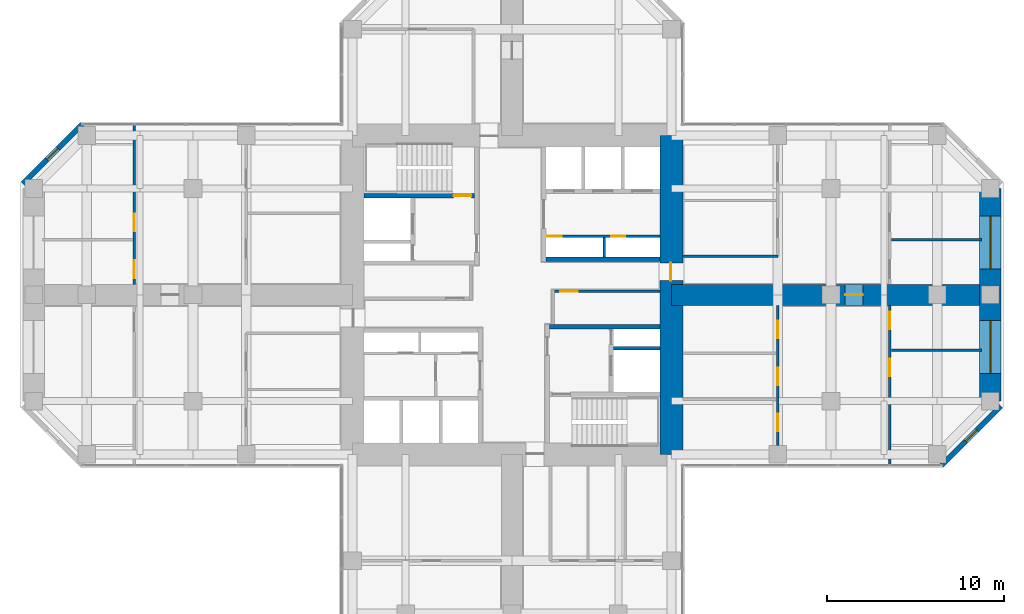
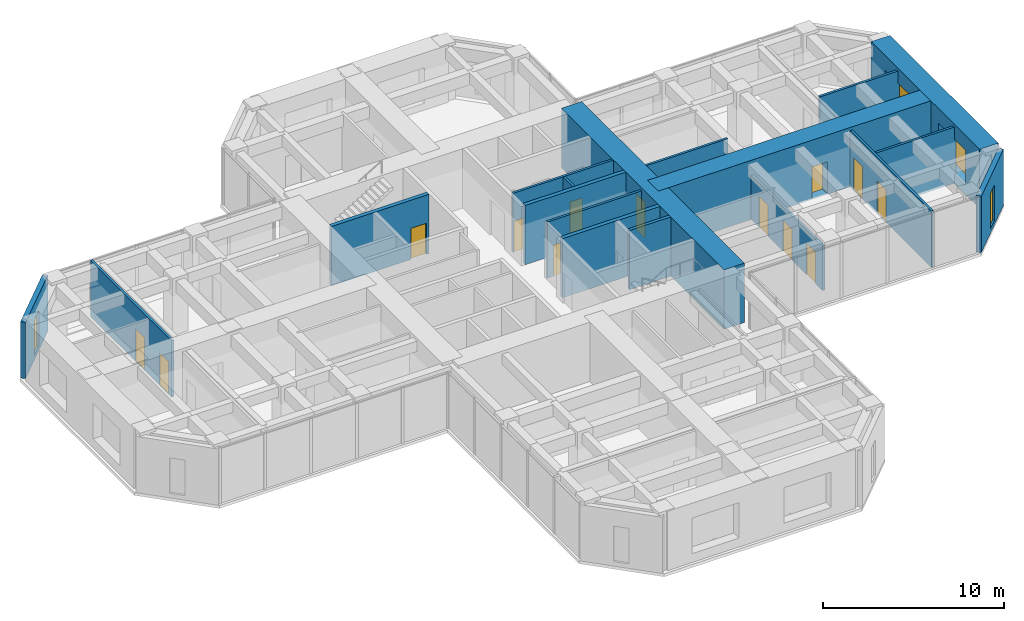
# One storey, part 10 of 13: 18 walls, 13 doors, 4 windows, 17 openings.
"""IFC4 building model written with IfcOpenShell, lengths in metres."""

from ifc_helpers import new_model, si_unit, direction, frame, frame_2d, origin, place, context, subcontext, project, spatial, rectangle, hollow_rectangle, extrude, material, layer, layer_set, constituent, constituent_set, type_object, element, fill, save


model = new_model("IFC4")

# Units and contexts
model_context = context("Model", 3, precision=1e-05, world=origin(), true_north=direction((0.0, 1.0)))
body_context = subcontext(model_context, "Body", "Model", "MODEL_VIEW")
ifc_project = project(units=[si_unit("LENGTHUNIT", "METRE"), si_unit("AREAUNIT", "SQUARE_METRE"), si_unit("VOLUMEUNIT", "CUBIC_METRE"), si_unit("PLANEANGLEUNIT", "RADIAN"), si_unit("MASSUNIT", "GRAM", prefix="KILO")], contexts=[model_context])

# Site, building, storey
site_placement = place(None, origin())
site = spatial("IfcSite", under=ifc_project, at=site_placement, CompositionType="ELEMENT")
building_placement = place(site_placement, origin())
building = spatial("IfcBuilding", under=site, at=building_placement, Name="Torre Cruceta", CompositionType="ELEMENT")
storey_placement = place(building_placement, frame((0.0, 0.0, 132.5)))
storey = spatial("IfcBuildingStorey", under=building, at=storey_placement, Name="L32", CompositionType="ELEMENT", Elevation=132.5)

# Wall
ifc_material_1 = material(Name="Concrete G60 (fck 60 MPa)", Category="concrete")
ifc_layer_1 = layer(ifc_material_1, 0.25)
ifc_layer_set_1 = layer_set([ifc_layer_1], Name="Concrete G60 (fck 60 MPa)")
wall_type_1 = type_object("IfcWallType", Name="CORE INNER WALL 250 G60", PredefinedType="SHEAR", material=ifc_layer_set_1)
wall_1_placement = place(storey_placement, frame((1.925048828125, 2.0, 0.0), z_axis=(0.0, 0.0, 1.0), x_axis=(1.0, 0.0, 0.0)))
element("IfcWall", 1, at=wall_1_placement, inside=storey, type_object=wall_type_1, Name="CW4 L32 NE-CV", PredefinedType="SHEAR", context=body_context, shape_type="SweptSolid", body=[
    extrude(rectangle(XDim=6.425048828125, YDim=0.25, at=frame_2d((3.21240234375, 0.0))), origin(), (0.0, 0.0, 1.0), 4.0),
])

# Wall, opening, door
wall_2_placement = place(storey_placement, frame((-2.125, 5.60009765625, 0.0), z_axis=(0.0, 0.0, 1.0), x_axis=(-1.0, 0.0, 0.0)))
wall_2 = element("IfcWall", 2, at=wall_2_placement, inside=storey, type_object=wall_type_1, Name="CW4 L32 NW-SV", PredefinedType="SHEAR", context=body_context, shape_type="SweptSolid", body=[
    extrude(rectangle(XDim=6.22509765625, YDim=0.25, at=frame_2d((3.112548828125, 0.0))), origin(), (0.0, 0.0, 1.0), 4.0),
])
opening_1_placement = place(wall_2_placement, frame((0.175048828125, 0.0, 0.0)))
opening_1 = element("IfcOpeningElement", 3, at=opening_1_placement, cuts=wall_2, Name="Opening D3", PredefinedType="OPENING", context=body_context, shape_type="SweptSolid", body=[
    extrude(rectangle(XDim=1.0, YDim=2.10009765625, at=frame_2d((0.5, 1.050048828125))), frame((0.0, 0.135009765625, 0.0), z_axis=(0.0, -1.0, 0.0), x_axis=(1.0, 0.0, 0.0)), (0.0, 0.0, 1.0), 0.27001953125),
])
ifc_material_2 = material(Name="Steel DX51D", Category="steel")
ifc_constituent_1 = constituent(ifc_material_2, Name="Leaf and frame")
ifc_material_3 = material(Name="Polyester powder coating", Category="paint")
ifc_constituent_2 = constituent(ifc_material_3, Name="Finish")
ifc_constituent_set_1 = constituent_set(constituents=[ifc_constituent_1, ifc_constituent_2], Name="Steel fire door")
door_type_1 = type_object("IfcDoorType", Name="FIRE DOOR 1000X2100", OperationType="SINGLE_SWING_LEFT", PredefinedType="DOOR", material=ifc_constituent_set_1)
door_1_placement = place(opening_1_placement, frame((1.0, 0.0, 0.0), z_axis=(0.0, 0.0, 1.0), x_axis=(-1.0, 0.0, 0.0)))
door_1 = element("IfcDoor", 4, at=door_1_placement, inside=storey, type_object=door_type_1, Name="D3 L32 NW-STAIR", OperationType="SINGLE_SWING_RIGHT", OverallHeight=2.10009765625, OverallWidth=1.0, PredefinedType="DOOR", context=body_context, shape_type="SweptSolid", body=[
    extrude(rectangle(XDim=1.0, YDim=2.10009765625, at=frame_2d((0.5, 1.050048828125))), frame((0.0, 0.025146484375, 0.0), z_axis=(0.0, -1.0, 0.0), x_axis=(1.0, 0.0, 0.0)), (0.0, 0.0, 1.0), 0.050048828125),
])
fill(opening_1, door_1)

# Wall
wall_3_placement = place(storey_placement, frame((2.125, -1.800048828125, 0.0), z_axis=(0.0, 0.0, 1.0), x_axis=(1.0, 0.0, 0.0)))
element("IfcWall", 5, at=wall_3_placement, inside=storey, type_object=wall_type_1, Name="CW4 L32 SE-CV", PredefinedType="SHEAR", context=body_context, shape_type="SweptSolid", body=[
    extrude(rectangle(XDim=6.22509765625, YDim=0.25, at=frame_2d((3.112548828125, 0.0))), origin(), (0.0, 0.0, 1.0), 4.0),
])

# Wall, opening, door
ifc_material_4 = material(Name="Concrete G60 (fck 60 MPa)", Category="concrete")
ifc_layer_2 = layer(ifc_material_4, 1.300048828125)
ifc_layer_set_2 = layer_set([ifc_layer_2], Name="Concrete G60 (fck 60 MPa)")
wall_type_2 = type_object("IfcWallType", Name="CORE WALL 1300 G60", PredefinedType="SHEAR", material=ifc_layer_set_2)
wall_4_placement = place(storey_placement, frame((9.0, -9.0, 0.0), z_axis=(0.0, 0.0, 1.0), x_axis=(0.0, 1.0, 0.0)))
wall_4 = element("IfcWall", 6, at=wall_4_placement, inside=storey, type_object=wall_type_2, Name="CW1 L32 CW-E", PredefinedType="SHEAR", context=body_context, shape_type="SweptSolid", body=[
    extrude(rectangle(XDim=18.0, YDim=1.300048828125, at=frame_2d((9.0, 0.0))), origin(), (0.0, 0.0, 1.0), 4.0),
])
opening_2_placement = place(wall_4_placement, frame((9.800048828125, 0.0, 0.0)))
opening_2 = element("IfcOpeningElement", 7, at=opening_2_placement, cuts=wall_4, Name="Opening D4", PredefinedType="OPENING", context=body_context, shape_type="SweptSolid", body=[
    extrude(rectangle(XDim=1.0, YDim=2.39990234375, at=frame_2d((0.5, 1.199951171875))), frame((0.0, 0.659912109375, 0.0), z_axis=(0.0, -1.0, 0.0), x_axis=(1.0, 0.0, 0.0)), (0.0, 0.0, 1.0), 1.320068359375),
])
ifc_material_5 = material(Name="Steel DX51D", Category="steel")
ifc_constituent_3 = constituent(ifc_material_5, Name="Leaf and frame")
ifc_material_6 = material(Name="Polyester powder coating", Category="paint")
ifc_constituent_4 = constituent(ifc_material_6, Name="Finish")
ifc_constituent_set_2 = constituent_set(constituents=[ifc_constituent_3, ifc_constituent_4], Name="Steel fire door")
door_type_2 = type_object("IfcDoorType", Name="CORE ARM DOOR 1000X2400", OperationType="SINGLE_SWING_RIGHT", PredefinedType="DOOR", material=ifc_constituent_set_2)
door_2_placement = place(opening_2_placement, frame((1.0, 0.0, 0.0), z_axis=(0.0, 0.0, 1.0), x_axis=(-1.0, 0.0, 0.0)))
door_2 = element("IfcDoor", 8, at=door_2_placement, inside=storey, type_object=door_type_2, Name="D4 L32 CW-E", OperationType="SINGLE_SWING_RIGHT", OverallHeight=2.39990234375, OverallWidth=1.0, PredefinedType="DOOR", context=body_context, shape_type="SweptSolid", body=[
    extrude(rectangle(XDim=1.0, YDim=2.39990234375, at=frame_2d((0.5, 1.199951171875))), frame((0.0, -0.005126953125, 0.0), z_axis=(0.0, -1.0, 0.0), x_axis=(1.0, 0.0, 0.0)), (0.0, 0.0, 1.0), 0.050048828125),
])
fill(opening_2, door_2)

# Wall, opening, window
ifc_material_7 = material(Name="Concrete G30 (fck 30 MPa)", Category="concrete")
ifc_layer_3 = layer(ifc_material_7, 0.300048828125)
ifc_layer_set_3 = layer_set([ifc_layer_3], Name="Concrete G30 (fck 30 MPa)")
wall_type_3 = type_object("IfcWallType", Name="EXPOSED CONCRETE FACADE WALL 300", PredefinedType="SOLIDWALL", material=ifc_layer_set_3)
wall_5_placement = place(storey_placement, frame((24.2568359375, -9.6201171875, 0.0), z_axis=(0.0, 0.0, 1.0), x_axis=(0.707106781187, 0.707106781187, 0.0)))
wall_5 = element("IfcWall", 9, at=wall_5_placement, inside=storey, type_object=wall_type_3, Name="EW1 facade wall L32 E chamfer 01", PredefinedType="SOLIDWALL", context=body_context, shape_type="SweptSolid", body=[
    extrude(rectangle(XDim=4.72802734375, YDim=0.300048828125, at=frame_2d((2.364013671875, 0.0))), origin(), (0.0, 0.0, 1.0), 3.800048828125),
])
opening_3_placement = place(wall_5_placement, frame((1.9140625, 0.0, 0.300048828125)))
opening_3 = element("IfcOpeningElement", 10, at=opening_3_placement, cuts=wall_5, Name="Opening WN5", PredefinedType="OPENING", context=body_context, shape_type="SweptSolid", body=[
    extrude(rectangle(XDim=0.89990234375, YDim=2.39990234375, at=frame_2d((0.449951171875, 1.199951171875))), frame((0.0, 0.159912109375, 0.0), z_axis=(0.0, -1.0, 0.0), x_axis=(1.0, 0.0, 0.0)), (0.0, 0.0, 1.0), 0.320068359375),
])
ifc_material_8 = material(Name="Aluminium window frame", Category="aluminium")
ifc_constituent_5 = constituent(ifc_material_8, Name="Frame")
ifc_material_9 = material(Name="Laminated insulating glass unit, low-iron clear", Category="glass")
ifc_constituent_6 = constituent(ifc_material_9, Name="Glazing")
ifc_constituent_set_3 = constituent_set(constituents=[ifc_constituent_5, ifc_constituent_6], Name="Aluminium window")
window_type_1 = type_object("IfcWindowType", Name="CHAMFER SLOT WINDOW 900X2400", PartitioningType="SINGLE_PANEL", PredefinedType="WINDOW", material=ifc_constituent_set_3)
window_1_placement = place(opening_3_placement, origin())
window_1 = element("IfcWindow", 11, at=window_1_placement, inside=storey, type_object=window_type_1, Name="WN5 L32 E 1", OverallHeight=2.39990234375, OverallWidth=0.89990234375, PartitioningType="SINGLE_PANEL", PredefinedType="WINDOW", context=body_context, shape_type="SweptSolid", body=[
    extrude(hollow_rectangle(XDim=0.89990234375, YDim=2.39990234375, WallThickness=0.06005859375, at=frame_2d((0.449951171875, 1.199951171875))), frame((0.0, 0.030029296875, 0.0), z_axis=(0.0, -1.0, 0.0), x_axis=(1.0, 0.0, 0.0)), (0.0, 0.0, 1.0), 0.06005859375),
    extrude(rectangle(XDim=0.77880859375, YDim=2.27880859375, at=frame_2d((0.449951171875, 1.199951171875))), frame((0.0, 0.030029296875, 0.0), z_axis=(0.0, -1.0, 0.0), x_axis=(1.0, 0.0, 0.0)), (0.0, 0.0, 1.0), 0.06005859375),
])
fill(opening_3, window_1)

wall_6_placement = place(storey_placement, frame((-24.2568359375, 9.6201171875, 0.0), z_axis=(0.0, 0.0, 1.0), x_axis=(-0.707106781187, -0.707106781187, 0.0)))
wall_6 = element("IfcWall", 12, at=wall_6_placement, inside=storey, type_object=wall_type_3, Name="EW1 facade wall L32 W chamfer 11", PredefinedType="SOLIDWALL", context=body_context, shape_type="SweptSolid", body=[
    extrude(rectangle(XDim=4.72802734375, YDim=0.300048828125, at=frame_2d((2.364013671875, 0.0))), origin(), (0.0, 0.0, 1.0), 3.800048828125),
])
opening_4_placement = place(wall_6_placement, frame((1.9140625, 0.0, 0.300048828125)))
opening_4 = element("IfcOpeningElement", 13, at=opening_4_placement, cuts=wall_6, Name="Opening WN5", PredefinedType="OPENING", context=body_context, shape_type="SweptSolid", body=[
    extrude(rectangle(XDim=0.89990234375, YDim=2.39990234375, at=frame_2d((0.449951171875, 1.199951171875))), frame((0.0, 0.159912109375, 0.0), z_axis=(0.0, -1.0, 0.0), x_axis=(1.0, 0.0, 0.0)), (0.0, 0.0, 1.0), 0.320068359375),
])
window_2_placement = place(opening_4_placement, origin())
window_2 = element("IfcWindow", 14, at=window_2_placement, inside=storey, type_object=window_type_1, Name="WN5 L32 W 1", OverallHeight=2.39990234375, OverallWidth=0.89990234375, PartitioningType="SINGLE_PANEL", PredefinedType="WINDOW", context=body_context, shape_type="SweptSolid", body=[
    extrude(hollow_rectangle(XDim=0.89990234375, YDim=2.39990234375, WallThickness=0.06005859375, at=frame_2d((0.449951171875, 1.199951171875))), frame((0.0, 0.030029296875, 0.0), z_axis=(0.0, -1.0, 0.0), x_axis=(1.0, 0.0, 0.0)), (0.0, 0.0, 1.0), 0.06005859375),
    extrude(rectangle(XDim=0.77880859375, YDim=2.27880859375, at=frame_2d((0.449951171875, 1.199951171875))), frame((0.0, 0.030029296875, 0.0), z_axis=(0.0, -1.0, 0.0), x_axis=(1.0, 0.0, 0.0)), (0.0, 0.0, 1.0), 0.06005859375),
])
fill(opening_4, window_2)

# Wall
ifc_material_10 = material(Name="Concrete G35 (fck 35 MPa)", Category="concrete")
ifc_layer_4 = layer(ifc_material_10, 0.199951171875)
ifc_layer_set_4 = layer_set([ifc_layer_4], Name="Concrete G35 (fck 35 MPa)")
wall_type_4 = type_object("IfcWallType", Name="LIFT SHAFT WALL 200", PredefinedType="PARTITIONING", material=ifc_layer_set_4)
wall_7_placement = place(storey_placement, frame((5.72509765625, -3.0, 0.0), z_axis=(0.0, 0.0, 1.0), x_axis=(1.0, 0.0, 0.0)))
element("IfcWall", 15, at=wall_7_placement, inside=storey, type_object=wall_type_4, Name="SW1 L32 SE-FR", PredefinedType="PARTITIONING", context=body_context, shape_type="SweptSolid", body=[
    extrude(rectangle(XDim=2.625, YDim=0.199951171875, at=frame_2d((1.3125, 0.0))), origin(), (0.0, 0.0, 1.0), 4.0),
])

# Wall, openings, windows
ifc_material_11 = material(Name="Concrete G60 (fck 60 MPa)", Category="concrete")
ifc_layer_5 = layer(ifc_material_11, 1.199951171875)
ifc_layer_set_5 = layer_set([ifc_layer_5], Name="Concrete G60 (fck 60 MPa)")
wall_type_5 = type_object("IfcWallType", Name="NOSE WALL 1200 G60", PredefinedType="SHEAR", material=ifc_layer_set_5)
wall_8_placement = place(storey_placement, frame((27.0, -6.0, 0.0), z_axis=(0.0, 0.0, 1.0), x_axis=(0.0, 1.0, 0.0)))
wall_8 = element("IfcWall", 16, at=wall_8_placement, inside=storey, type_object=wall_type_5, Name="NW1 nose wall L32 E", PredefinedType="SHEAR", context=body_context, shape_type="SweptSolid", body=[
    extrude(rectangle(XDim=12.0, YDim=1.199951171875, at=frame_2d((6.0, 0.0))), origin(), (0.0, 0.0, 1.0), 4.0),
])
opening_5_placement = place(wall_8_placement, frame((1.550048828125, 0.0, 0.60009765625)))
opening_5 = element("IfcOpeningElement", 17, at=opening_5_placement, cuts=wall_8, Name="Opening WN6", PredefinedType="OPENING", context=body_context, shape_type="SweptSolid", body=[
    extrude(rectangle(XDim=3.0, YDim=2.39990234375, at=frame_2d((1.5, 1.199951171875))), frame((0.0, 0.60986328125, 0.0), z_axis=(0.0, -1.0, 0.0), x_axis=(1.0, 0.0, 0.0)), (0.0, 0.0, 1.0), 1.219970703125),
])
opening_6_placement = place(wall_8_placement, frame((7.449951171875, 0.0, 0.60009765625)))
opening_6 = element("IfcOpeningElement", 18, at=opening_6_placement, cuts=wall_8, Name="Opening WN6", PredefinedType="OPENING", context=body_context, shape_type="SweptSolid", body=[
    extrude(rectangle(XDim=3.0, YDim=2.39990234375, at=frame_2d((1.5, 1.199951171875))), frame((0.0, 0.60986328125, 0.0), z_axis=(0.0, -1.0, 0.0), x_axis=(1.0, 0.0, 0.0)), (0.0, 0.0, 1.0), 1.219970703125),
])
ifc_material_12 = material(Name="Aluminium window frame", Category="aluminium")
ifc_constituent_7 = constituent(ifc_material_12, Name="Frame")
ifc_material_13 = material(Name="Laminated insulating glass unit, low-iron clear", Category="glass")
ifc_constituent_8 = constituent(ifc_material_13, Name="Glazing")
ifc_constituent_set_4 = constituent_set(constituents=[ifc_constituent_7, ifc_constituent_8], Name="Aluminium window")
window_type_2 = type_object("IfcWindowType", Name="NOSE WALL WINDOW 3000X2400", PartitioningType="SINGLE_PANEL", PredefinedType="WINDOW", material=ifc_constituent_set_4)
window_3_placement = place(opening_5_placement, origin())
window_3 = element("IfcWindow", 19, at=window_3_placement, inside=storey, type_object=window_type_2, Name="WN6 L32 E 1", OverallHeight=2.39990234375, OverallWidth=3.0, PartitioningType="SINGLE_PANEL", PredefinedType="WINDOW", context=body_context, shape_type="SweptSolid", body=[
    extrude(hollow_rectangle(XDim=3.0, YDim=2.39990234375, WallThickness=0.06005859375, at=frame_2d((1.5, 1.199951171875))), frame((0.0, 0.030029296875, 0.0), z_axis=(0.0, -1.0, 0.0), x_axis=(1.0, 0.0, 0.0)), (0.0, 0.0, 1.0), 0.06005859375),
    extrude(rectangle(XDim=2.87890625, YDim=2.27880859375, at=frame_2d((1.5, 1.199951171875))), frame((0.0, 0.030029296875, 0.0), z_axis=(0.0, -1.0, 0.0), x_axis=(1.0, 0.0, 0.0)), (0.0, 0.0, 1.0), 0.06005859375),
])
fill(opening_5, window_3)
window_4_placement = place(opening_6_placement, origin())
window_4 = element("IfcWindow", 20, at=window_4_placement, inside=storey, type_object=window_type_2, Name="WN6 L32 E 2", OverallHeight=2.39990234375, OverallWidth=3.0, PartitioningType="SINGLE_PANEL", PredefinedType="WINDOW", context=body_context, shape_type="SweptSolid", body=[
    extrude(hollow_rectangle(XDim=3.0, YDim=2.39990234375, WallThickness=0.06005859375, at=frame_2d((1.5, 1.199951171875))), frame((0.0, 0.030029296875, 0.0), z_axis=(0.0, -1.0, 0.0), x_axis=(1.0, 0.0, 0.0)), (0.0, 0.0, 1.0), 0.06005859375),
    extrude(rectangle(XDim=2.87890625, YDim=2.27880859375, at=frame_2d((1.5, 1.199951171875))), frame((0.0, 0.030029296875, 0.0), z_axis=(0.0, -1.0, 0.0), x_axis=(1.0, 0.0, 0.0)), (0.0, 0.0, 1.0), 0.06005859375),
])
fill(opening_6, window_4)

# Wall, opening, door
ifc_material_14 = material(Name="Plasterboard on steel studs", Category="steel")
ifc_layer_6 = layer(ifc_material_14, 0.14990234375)
ifc_layer_set_6 = layer_set([ifc_layer_6], Name="Plasterboard on steel studs")
wall_type_6 = type_object("IfcWallType", Name="PARTITION 150", PredefinedType="PARTITIONING", material=ifc_layer_set_6)
wall_9_placement = place(storey_placement, frame((2.324951171875, 0.199951171875, 0.0), z_axis=(0.0, 0.0, 1.0), x_axis=(1.0, 0.0, 0.0)))
wall_9 = element("IfcWall", 21, at=wall_9_placement, inside=storey, type_object=wall_type_6, Name="PT1 L32-CORE-LEGE-S-W1", PredefinedType="PARTITIONING", context=body_context, shape_type="SweptSolid", body=[
    extrude(rectangle(XDim=6.025146484375, YDim=0.14990234375, at=frame_2d((3.0126953125, 0.0))), origin(), (0.0, 0.0, 1.0), 3.800048828125),
])
opening_7_placement = place(wall_9_placement, frame((0.39990234375, 0.0, 0.0)))
opening_7 = element("IfcOpeningElement", 22, at=opening_7_placement, cuts=wall_9, Name="Opening D3", PredefinedType="OPENING", context=body_context, shape_type="SweptSolid", body=[
    extrude(rectangle(XDim=1.0, YDim=2.10009765625, at=frame_2d((0.5, 1.050048828125))), frame((0.0, 0.0849609375, 0.0), z_axis=(0.0, -1.0, 0.0), x_axis=(1.0, 0.0, 0.0)), (0.0, 0.0, 1.0), 0.169921875),
])
door_3_placement = place(opening_7_placement, frame((1.0, 0.0, 0.0), z_axis=(0.0, 0.0, 1.0), x_axis=(-1.0, 0.0, 0.0)))
door_3 = element("IfcDoor", 23, at=door_3_placement, inside=storey, type_object=door_type_1, Name="D3 L32-CORE-LEGE-S-W1-D1", OperationType="SINGLE_SWING_RIGHT", OverallHeight=2.10009765625, OverallWidth=1.0, PredefinedType="DOOR", context=body_context, shape_type="SweptSolid", body=[
    extrude(rectangle(XDim=1.0, YDim=2.10009765625, at=frame_2d((0.5, 1.050048828125))), frame((0.0, 0.025146484375, 0.0), z_axis=(0.0, -1.0, 0.0), x_axis=(1.0, 0.0, 0.0)), (0.0, 0.0, 1.0), 0.050048828125),
])
fill(opening_7, door_3)

# Wall
wall_10_placement = place(storey_placement, frame((9.64990234375, 2.175048828125, 0.0), z_axis=(0.0, 0.0, 1.0), x_axis=(1.0, 0.0, 0.0)))
element("IfcWall", 24, at=wall_10_placement, inside=storey, type_object=wall_type_6, Name="PT1 L32-E-BSL", PredefinedType="PARTITIONING", context=body_context, shape_type="SweptSolid", body=[
    extrude(rectangle(XDim=5.35009765625, YDim=0.14990234375, at=frame_2d((2.675048828125, 0.0))), origin(), (0.0, 0.0, 1.0), 3.800048828125),
])

# Wall, openings, doors
wall_11_placement = place(storey_placement, frame((15.0, -8.5, 0.0), z_axis=(0.0, 0.0, 1.0), x_axis=(0.0, 1.0, 0.0)))
wall_11 = element("IfcWall", 25, at=wall_11_placement, inside=storey, type_object=wall_type_6, Name="PT1 L32-E-BFR", PredefinedType="PARTITIONING", context=body_context, shape_type="SweptSolid", body=[
    extrude(rectangle(XDim=7.89990234375, YDim=0.14990234375, at=frame_2d((3.949951171875, 0.0))), origin(), (0.0, 0.0, 1.0), 3.0),
])
opening_8_placement = place(wall_11_placement, frame((0.800048828125, 0.0, 0.0)))
opening_8 = element("IfcOpeningElement", 26, at=opening_8_placement, cuts=wall_11, Name="Opening D3", PredefinedType="OPENING", context=body_context, shape_type="SweptSolid", body=[
    extrude(rectangle(XDim=1.0, YDim=2.10009765625, at=frame_2d((0.5, 1.050048828125))), frame((0.0, 0.0849609375, 0.0), z_axis=(0.0, -1.0, 0.0), x_axis=(1.0, 0.0, 0.0)), (0.0, 0.0, 1.0), 0.169921875),
])
opening_9_placement = place(wall_11_placement, frame((3.39990234375, 0.0, 0.0)))
opening_9 = element("IfcOpeningElement", 27, at=opening_9_placement, cuts=wall_11, Name="Opening D3", PredefinedType="OPENING", context=body_context, shape_type="SweptSolid", body=[
    extrude(rectangle(XDim=1.0, YDim=2.10009765625, at=frame_2d((0.5, 1.050048828125))), frame((0.0, 0.0849609375, 0.0), z_axis=(0.0, -1.0, 0.0), x_axis=(1.0, 0.0, 0.0)), (0.0, 0.0, 1.0), 0.169921875),
])
opening_10_placement = place(wall_11_placement, frame((6.050048828125, 0.0, 0.0)))
opening_10 = element("IfcOpeningElement", 28, at=opening_10_placement, cuts=wall_11, Name="Opening D3", PredefinedType="OPENING", context=body_context, shape_type="SweptSolid", body=[
    extrude(rectangle(XDim=1.0, YDim=2.10009765625, at=frame_2d((0.5, 1.050048828125))), frame((0.0, 0.0849609375, 0.0), z_axis=(0.0, -1.0, 0.0), x_axis=(1.0, 0.0, 0.0)), (0.0, 0.0, 1.0), 0.169921875),
])
door_4_placement = place(opening_8_placement, origin())
door_4 = element("IfcDoor", 29, at=door_4_placement, inside=storey, type_object=door_type_1, Name="D3 L32-E-BFR-D1", OperationType="SINGLE_SWING_RIGHT", OverallHeight=2.10009765625, OverallWidth=1.0, PredefinedType="DOOR", context=body_context, shape_type="SweptSolid", body=[
    extrude(rectangle(XDim=1.0, YDim=2.10009765625, at=frame_2d((0.5, 1.050048828125))), frame((0.0, 0.02490234375, 0.0), z_axis=(0.0, -1.0, 0.0), x_axis=(1.0, 0.0, 0.0)), (0.0, 0.0, 1.0), 0.050048828125),
])
fill(opening_8, door_4)
door_5_placement = place(opening_9_placement, origin())
door_5 = element("IfcDoor", 30, at=door_5_placement, inside=storey, type_object=door_type_1, Name="D3 L32-E-BFR-D2", OperationType="SINGLE_SWING_LEFT", OverallHeight=2.10009765625, OverallWidth=1.0, PredefinedType="DOOR", context=body_context, shape_type="SweptSolid", body=[
    extrude(rectangle(XDim=1.0, YDim=2.10009765625, at=frame_2d((0.5, 1.050048828125))), frame((0.0, 0.02490234375, 0.0), z_axis=(0.0, -1.0, 0.0), x_axis=(1.0, 0.0, 0.0)), (0.0, 0.0, 1.0), 0.050048828125),
])
fill(opening_9, door_5)
door_6_placement = place(opening_10_placement, origin())
door_6 = element("IfcDoor", 31, at=door_6_placement, inside=storey, type_object=door_type_1, Name="D3 L32-E-BFR-D3", OperationType="SINGLE_SWING_LEFT", OverallHeight=2.10009765625, OverallWidth=1.0, PredefinedType="DOOR", context=body_context, shape_type="SweptSolid", body=[
    extrude(rectangle(XDim=1.0, YDim=2.10009765625, at=frame_2d((0.5, 1.050048828125))), frame((0.0, 0.02490234375, 0.0), z_axis=(0.0, -1.0, 0.0), x_axis=(1.0, 0.0, 0.0)), (0.0, 0.0, 1.0), 0.050048828125),
])
fill(opening_10, door_6)

# Walls
for number, where, z_axis, x_axis, name in (
    (32, (21.419921875, 3.117919921875, 0.0), (0.0, 0.0, 1.0), (1.0, 0.0, 0.0), "PT1 L32-E-TDL"),
    (33, (21.419921875, -3.117919921875, 0.0), (0.0, 0.0, 1.0), (1.0, 0.0, 0.0), "PT1 L32-E-TDR"),
):
    element("IfcWall", number, at=place(storey_placement, frame(where, z_axis=z_axis, x_axis=x_axis)), inside=storey, type_object=wall_type_6, Name=name, PredefinedType="PARTITIONING", context=body_context, shape_type="SweptSolid", body=[
        extrude(rectangle(XDim=5.080078125, YDim=0.14990234375, at=frame_2d((2.5400390625, 0.0))), origin(), (0.0, 0.0, 1.0), 3.800048828125),
    ])

# Wall, openings, doors
wall_12_placement = place(storey_placement, frame((21.320068359375, -9.580078125, 0.0), z_axis=(0.0, 0.0, 1.0), x_axis=(0.0, 1.0, 0.0)))
wall_12 = element("IfcWall", 34, at=wall_12_placement, inside=storey, type_object=wall_type_6, Name="PT1 L32-E-TWR", PredefinedType="PARTITIONING", context=body_context, shape_type="SweptSolid", body=[
    extrude(rectangle(XDim=8.97998046875, YDim=0.14990234375, at=frame_2d((4.489990234375, 0.0))), origin(), (0.0, 0.0, 1.0), 3.800048828125),
])
opening_11_placement = place(wall_12_placement, frame((4.987060546875, 0.0, 0.0)))
opening_11 = element("IfcOpeningElement", 35, at=opening_11_placement, cuts=wall_12, Name="Opening D14", PredefinedType="OPENING", context=body_context, shape_type="SweptSolid", body=[
    extrude(rectangle(XDim=1.0, YDim=2.199951171875, at=frame_2d((0.5, 1.10009765625))), frame((0.0, 0.0849609375, 0.0), z_axis=(0.0, -1.0, 0.0), x_axis=(1.0, 0.0, 0.0)), (0.0, 0.0, 1.0), 0.169921875),
])
opening_12_placement = place(wall_12_placement, frame((7.6298828125, 0.0, 0.0)))
opening_12 = element("IfcOpeningElement", 36, at=opening_12_placement, cuts=wall_12, Name="Opening D14", PredefinedType="OPENING", context=body_context, shape_type="SweptSolid", body=[
    extrude(rectangle(XDim=1.0, YDim=2.199951171875, at=frame_2d((0.5, 1.10009765625))), frame((0.0, 0.0849609375, 0.0), z_axis=(0.0, -1.0, 0.0), x_axis=(1.0, 0.0, 0.0)), (0.0, 0.0, 1.0), 0.169921875),
])
ifc_material_15 = material(Name="Steel DX51D", Category="steel")
ifc_constituent_9 = constituent(ifc_material_15, Name="Leaf and frame")
ifc_material_16 = material(Name="Polyester powder coating", Category="paint")
ifc_constituent_10 = constituent(ifc_material_16, Name="Finish")
ifc_material_17 = material(Name="Fire-resisting glass", Category="glass")
ifc_constituent_11 = constituent(ifc_material_17, Name="Vision panel")
ifc_constituent_set_5 = constituent_set(constituents=[ifc_constituent_9, ifc_constituent_10, ifc_constituent_11], Name="Steel fire door with vision panel")
door_type_3 = type_object("IfcDoorType", Name="FIRE DOOR VISION PANEL 1000X2200", OperationType="SINGLE_SWING_RIGHT", PredefinedType="DOOR", material=ifc_constituent_set_5)
door_7_placement = place(opening_11_placement, frame((1.0, 0.0, 0.0), z_axis=(0.0, 0.0, 1.0), x_axis=(-1.0, 0.0, 0.0)))
door_7 = element("IfcDoor", 37, at=door_7_placement, inside=storey, type_object=door_type_3, Name="D14 L32-E-TWR-D1", OperationType="SINGLE_SWING_LEFT", OverallHeight=2.199951171875, OverallWidth=1.0, PredefinedType="DOOR", context=body_context, shape_type="SweptSolid", body=[
    extrude(rectangle(XDim=1.0, YDim=2.199951171875, at=frame_2d((0.5, 1.10009765625))), frame((0.0, 0.025146484375, 0.0), z_axis=(0.0, -1.0, 0.0), x_axis=(1.0, 0.0, 0.0)), (0.0, 0.0, 1.0), 0.050048828125),
])
fill(opening_11, door_7)
door_8_placement = place(opening_12_placement, frame((1.0, 0.0, 0.0), z_axis=(0.0, 0.0, 1.0), x_axis=(-1.0, 0.0, 0.0)))
door_8 = element("IfcDoor", 38, at=door_8_placement, inside=storey, type_object=door_type_3, Name="D14 L32-E-TWR-D2", OperationType="SINGLE_SWING_LEFT", OverallHeight=2.199951171875, OverallWidth=1.0, PredefinedType="DOOR", context=body_context, shape_type="SweptSolid", body=[
    extrude(rectangle(XDim=1.0, YDim=2.199951171875, at=frame_2d((0.5, 1.10009765625))), frame((0.0, 0.025146484375, 0.0), z_axis=(0.0, -1.0, 0.0), x_axis=(1.0, 0.0, 0.0)), (0.0, 0.0, 1.0), 0.050048828125),
])
fill(opening_12, door_8)

wall_13_placement = place(storey_placement, frame((-21.320068359375, 9.580078125, 0.0), z_axis=(0.0, 0.0, 1.0), x_axis=(0.0, -1.0, 0.0)))
wall_13 = element("IfcWall", 39, at=wall_13_placement, inside=storey, type_object=wall_type_6, Name="PT1 L32-W-TWR", PredefinedType="PARTITIONING", context=body_context, shape_type="SweptSolid", body=[
    extrude(rectangle(XDim=8.97998046875, YDim=0.14990234375, at=frame_2d((4.489990234375, 0.0))), origin(), (0.0, 0.0, 1.0), 3.800048828125),
])
opening_13_placement = place(wall_13_placement, frame((4.987060546875, 0.0, 0.0)))
opening_13 = element("IfcOpeningElement", 40, at=opening_13_placement, cuts=wall_13, Name="Opening D14", PredefinedType="OPENING", context=body_context, shape_type="SweptSolid", body=[
    extrude(rectangle(XDim=1.0, YDim=2.199951171875, at=frame_2d((0.5, 1.10009765625))), frame((0.0, 0.0849609375, 0.0), z_axis=(0.0, -1.0, 0.0), x_axis=(1.0, 0.0, 0.0)), (0.0, 0.0, 1.0), 0.169921875),
])
opening_14_placement = place(wall_13_placement, frame((7.6298828125, 0.0, 0.0)))
opening_14 = element("IfcOpeningElement", 41, at=opening_14_placement, cuts=wall_13, Name="Opening D14", PredefinedType="OPENING", context=body_context, shape_type="SweptSolid", body=[
    extrude(rectangle(XDim=1.0, YDim=2.199951171875, at=frame_2d((0.5, 1.10009765625))), frame((0.0, 0.0849609375, 0.0), z_axis=(0.0, -1.0, 0.0), x_axis=(1.0, 0.0, 0.0)), (0.0, 0.0, 1.0), 0.169921875),
])
door_9_placement = place(opening_13_placement, frame((1.0, 0.0, 0.0), z_axis=(0.0, 0.0, 1.0), x_axis=(-1.0, 0.0, 0.0)))
door_9 = element("IfcDoor", 42, at=door_9_placement, inside=storey, type_object=door_type_3, Name="D14 L32-W-TWR-D1", OperationType="SINGLE_SWING_LEFT", OverallHeight=2.199951171875, OverallWidth=1.0, PredefinedType="DOOR", context=body_context, shape_type="SweptSolid", body=[
    extrude(rectangle(XDim=1.0, YDim=2.199951171875, at=frame_2d((0.5, 1.10009765625))), frame((0.0, 0.025146484375, 0.0), z_axis=(0.0, -1.0, 0.0), x_axis=(1.0, 0.0, 0.0)), (0.0, 0.0, 1.0), 0.050048828125),
])
fill(opening_13, door_9)
door_10_placement = place(opening_14_placement, frame((1.0, 0.0, 0.0), z_axis=(0.0, 0.0, 1.0), x_axis=(-1.0, 0.0, 0.0)))
door_10 = element("IfcDoor", 43, at=door_10_placement, inside=storey, type_object=door_type_3, Name="D14 L32-W-TWR-D2", OperationType="SINGLE_SWING_LEFT", OverallHeight=2.199951171875, OverallWidth=1.0, PredefinedType="DOOR", context=body_context, shape_type="SweptSolid", body=[
    extrude(rectangle(XDim=1.0, YDim=2.199951171875, at=frame_2d((0.5, 1.10009765625))), frame((0.0, 0.025146484375, 0.0), z_axis=(0.0, -1.0, 0.0), x_axis=(1.0, 0.0, 0.0)), (0.0, 0.0, 1.0), 0.050048828125),
])
fill(opening_14, door_10)

ifc_material_18 = material(Name="Concrete block masonry", Category="masonry")
ifc_layer_7 = layer(ifc_material_18, 0.14990234375)
ifc_layer_set_7 = layer_set([ifc_layer_7], Name="Concrete block masonry")
wall_type_7 = type_object("IfcWallType", Name="RISER WALL 150", PredefinedType="PARTITIONING", material=ifc_layer_set_7)
wall_14_placement = place(storey_placement, frame((1.925048828125, 3.300048828125, 0.0), z_axis=(0.0, 0.0, 1.0), x_axis=(1.0, 0.0, 0.0)))
wall_14 = element("IfcWall", 44, at=wall_14_placement, inside=storey, type_object=wall_type_7, Name="SW7 L32 NE-RV", PredefinedType="PARTITIONING", context=body_context, shape_type="SweptSolid", body=[
    extrude(rectangle(XDim=6.425048828125, YDim=0.14990234375, at=frame_2d((3.21240234375, 0.0))), origin(), (0.0, 0.0, 1.0), 4.0),
])
opening_15_placement = place(wall_14_placement, frame((0.074951171875, 0.0, 0.0)))
opening_15 = element("IfcOpeningElement", 45, at=opening_15_placement, cuts=wall_14, Name="Opening D5", PredefinedType="OPENING", context=body_context, shape_type="SweptSolid", body=[
    extrude(rectangle(XDim=0.800048828125, YDim=2.10009765625, at=frame_2d((0.39990234375, 1.050048828125))), frame((0.0, 0.0849609375, 0.0), z_axis=(0.0, -1.0, 0.0), x_axis=(1.0, 0.0, 0.0)), (0.0, 0.0, 1.0), 0.169921875),
])
opening_16_placement = place(wall_14_placement, frame((3.675048828125, 0.0, 0.0)))
opening_16 = element("IfcOpeningElement", 46, at=opening_16_placement, cuts=wall_14, Name="Opening D5", PredefinedType="OPENING", context=body_context, shape_type="SweptSolid", body=[
    extrude(rectangle(XDim=0.800048828125, YDim=2.10009765625, at=frame_2d((0.39990234375, 1.050048828125))), frame((0.0, 0.0849609375, 0.0), z_axis=(0.0, -1.0, 0.0), x_axis=(1.0, 0.0, 0.0)), (0.0, 0.0, 1.0), 0.169921875),
])
ifc_material_19 = material(Name="Steel DX51D", Category="steel")
ifc_constituent_12 = constituent(ifc_material_19, Name="Leaf and frame")
ifc_material_20 = material(Name="Polyester powder coating", Category="paint")
ifc_constituent_13 = constituent(ifc_material_20, Name="Finish")
ifc_constituent_set_6 = constituent_set(constituents=[ifc_constituent_12, ifc_constituent_13], Name="Steel fire door")
door_type_4 = type_object("IfcDoorType", Name="RISER ACCESS DOOR 800X2100", OperationType="SINGLE_SWING_LEFT", PredefinedType="DOOR", material=ifc_constituent_set_6)
door_11_placement = place(opening_15_placement, frame((0.800048828125, 0.0, 0.0), z_axis=(0.0, 0.0, 1.0), x_axis=(-1.0, 0.0, 0.0)))
door_11 = element("IfcDoor", 47, at=door_11_placement, inside=storey, type_object=door_type_4, Name="D5 L32 NE-RISER1", OperationType="SINGLE_SWING_RIGHT", OverallHeight=2.10009765625, OverallWidth=0.800048828125, PredefinedType="DOOR", context=body_context, shape_type="SweptSolid", body=[
    extrude(rectangle(XDim=0.800048828125, YDim=2.10009765625, at=frame_2d((0.400146484375, 1.050048828125))), frame((0.0, 0.025146484375, 0.0), z_axis=(0.0, -1.0, 0.0), x_axis=(1.0, 0.0, 0.0)), (0.0, 0.0, 1.0), 0.050048828125),
])
fill(opening_15, door_11)
door_12_placement = place(opening_16_placement, frame((0.800048828125, 0.0, 0.0), z_axis=(0.0, 0.0, 1.0), x_axis=(-1.0, 0.0, 0.0)))
door_12 = element("IfcDoor", 48, at=door_12_placement, inside=storey, type_object=door_type_4, Name="D5 L32 NE-RISER2", OperationType="SINGLE_SWING_RIGHT", OverallHeight=2.10009765625, OverallWidth=0.800048828125, PredefinedType="DOOR", context=body_context, shape_type="SweptSolid", body=[
    extrude(rectangle(XDim=0.800048828125, YDim=2.10009765625, at=frame_2d((0.400146484375, 1.050048828125))), frame((0.0, 0.025146484375, 0.0), z_axis=(0.0, -1.0, 0.0), x_axis=(1.0, 0.0, 0.0)), (0.0, 0.0, 1.0), 0.050048828125),
])
fill(opening_16, door_12)

# Wall
wall_15_placement = place(storey_placement, frame((5.199951171875, 2.125, 0.0), z_axis=(0.0, 0.0, 1.0), x_axis=(0.0, 1.0, 0.0)))
element("IfcWall", 49, at=wall_15_placement, inside=storey, type_object=wall_type_7, Name="SW7 L32 NE-RU", PredefinedType="PARTITIONING", context=body_context, shape_type="SweptSolid", body=[
    extrude(rectangle(XDim=1.10009765625, YDim=0.14990234375, at=frame_2d((0.550048828125, 0.0))), origin(), (0.0, 0.0, 1.0), 4.0),
])

# Wall, opening, door
ifc_material_21 = material(Name="Concrete G60 (fck 60 MPa)", Category="concrete")
ifc_layer_8 = layer(ifc_material_21, 1.199951171875)
ifc_layer_set_8 = layer_set([ifc_layer_8], Name="Concrete G60 (fck 60 MPa)")
wall_type_8 = type_object("IfcWallType", Name="SPINE WALL 1200 G60", PredefinedType="SHEAR", material=ifc_layer_set_8)
wall_16_placement = place(storey_placement, frame((9.0, 0.0, 0.0), z_axis=(0.0, 0.0, 1.0), x_axis=(1.0, 0.0, 0.0)))
wall_16 = element("IfcWall", 50, at=wall_16_placement, inside=storey, type_object=wall_type_8, Name="SW3 spine wall L32 E", PredefinedType="SHEAR", context=body_context, shape_type="SweptSolid", body=[
    extrude(rectangle(XDim=18.0, YDim=1.199951171875, at=frame_2d((9.0, 0.0))), origin(), (0.0, 0.0, 1.0), 4.0),
])
opening_17_placement = place(wall_16_placement, frame((9.800048828125, 0.0, 0.0)))
opening_17 = element("IfcOpeningElement", 51, at=opening_17_placement, cuts=wall_16, Name="Opening D14", PredefinedType="OPENING", context=body_context, shape_type="SweptSolid", body=[
    extrude(rectangle(XDim=1.0, YDim=2.199951171875, at=frame_2d((0.5, 1.10009765625))), frame((0.0, 0.60986328125, 0.0), z_axis=(0.0, -1.0, 0.0), x_axis=(1.0, 0.0, 0.0)), (0.0, 0.0, 1.0), 1.219970703125),
])
door_13_placement = place(opening_17_placement, frame((1.0, 0.0, 0.0), z_axis=(0.0, 0.0, 1.0), x_axis=(-1.0, 0.0, 0.0)))
door_13 = element("IfcDoor", 52, at=door_13_placement, inside=storey, type_object=door_type_3, Name="D14 L32-E-SP1", OperationType="SINGLE_SWING_LEFT", OverallHeight=2.199951171875, OverallWidth=1.0, PredefinedType="DOOR", context=body_context, shape_type="SweptSolid", body=[
    extrude(rectangle(XDim=1.0, YDim=2.199951171875, at=frame_2d((0.5, 1.10009765625))), frame((0.0, 0.025146484375, 0.0), z_axis=(0.0, -1.0, 0.0), x_axis=(1.0, 0.0, 0.0)), (0.0, 0.0, 1.0), 0.050048828125),
])
fill(opening_17, door_13)

save(model, "model.ifc")
